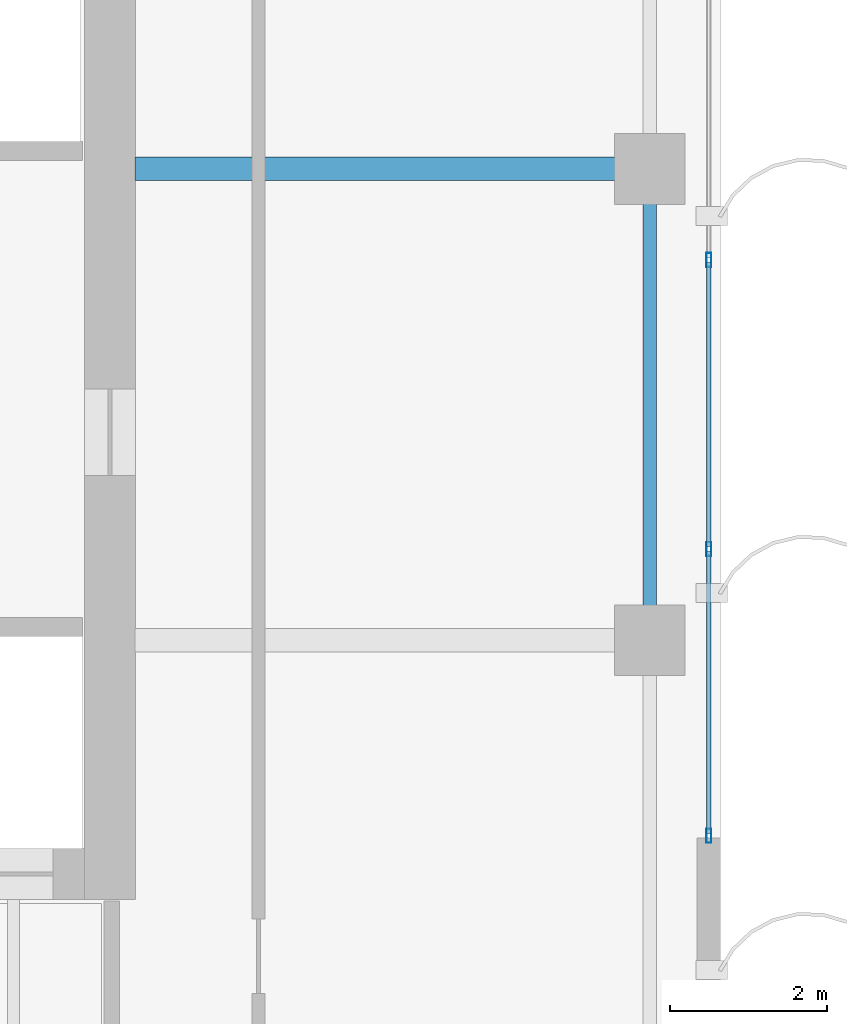
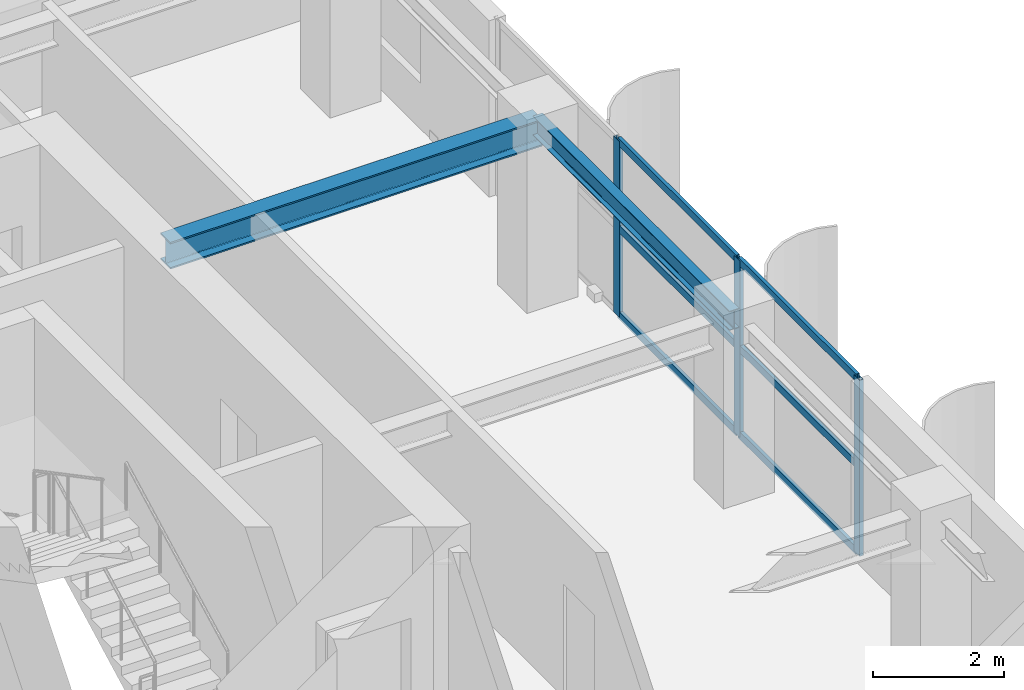
# One storey, part 11 of 25: 9 members, 2 beams, 1 element without a shape of its own.
"""IFC4 building model written with IfcOpenShell, lengths in metres."""

import ifcopenshell
import ifcopenshell.guid

model = None  # the IFC model being written
_history = None  # IfcOwnerHistory: only IFC2X3 demands one
_inside = {}  # id of a spatial element -> (the spatial element, [elements in it])
_under = {}  # id of a project, library or spatial element -> (it, [spatial elements below it])
_declared = {}  # id of a project -> (the project, [libraries it declares])
_typed = {}  # id of a type object -> (the type object, [elements of that type])
_made_of = {}  # id of a material, layer set ... -> (it, [elements and type objects made of it])


def new_model(schema):
    """Start an empty IFC model of exactly this schema.

    Asked for "IFC4X3", IfcOpenShell would pick the latest addendum, in which some entities
    have other attributes; the version numbers below select the first issue.
    IFC2X3 requires an IfcOwnerHistory on every rooted entity: one is made here for all.
    """
    global model, _history
    if schema == "IFC4X3":
        model = ifcopenshell.file(schema_version=(4, 3, 0, 0))
    else:
        model = ifcopenshell.file(schema=schema)
    _inside.clear()
    _under.clear()
    _declared.clear()
    _typed.clear()
    _made_of.clear()
    _history = None
    if model.schema == "IFC2X3":
        org = make("IfcOrganization", Name="unknown")
        user = make(
            "IfcPersonAndOrganization",
            ThePerson=make("IfcPerson", FamilyName="unknown"),
            TheOrganization=org,
        )
        app = make(
            "IfcApplication",
            ApplicationDeveloper=org,
            Version="unknown",
            ApplicationFullName="unknown",
            ApplicationIdentifier="unknown",
        )
        _history = make(
            "IfcOwnerHistory",
            OwningUser=user,
            OwningApplication=app,
            ChangeAction="ADDED",
            CreationDate=0,
        )
    return model


def make(cls, **values):
    """One entity of the class cls with the attributes given. An attribute that is None is left unset."""
    return model.create_entity(
        cls, **{name: value for name, value in values.items() if value is not None}
    )


def rooted(cls, **values):
    """An entity with a GlobalId (a new one), such as an element, a storey or a relation."""
    return make(cls, GlobalId=ifcopenshell.guid.new(), OwnerHistory=_history, **values)


def si_unit(unit_type, name, prefix=None):
    """IfcSIUnit, for example si_unit("LENGTHUNIT", "METRE", prefix="MILLI")."""
    return make("IfcSIUnit", UnitType=unit_type, Prefix=prefix, Name=name)


def assignment(units):
    """IfcUnitAssignment: the units of a project."""
    return None if units is None else make("IfcUnitAssignment", Units=units)


def point(xyz):
    """IfcCartesianPoint."""
    return None if xyz is None else make("IfcCartesianPoint", Coordinates=xyz)


def direction(xyz):
    """IfcDirection."""
    return None if xyz is None else make("IfcDirection", DirectionRatios=xyz)


def frame(location, z_axis=None, x_axis=None):
    """IfcAxis2Placement3D, a coordinate frame: its origin and axes. An axis left out is left unset."""
    return make(
        "IfcAxis2Placement3D",
        Location=point(location),
        Axis=direction(z_axis),
        RefDirection=direction(x_axis),
    )


def frame_2d(location, x_axis=None):
    """IfcAxis2Placement2D, a coordinate frame in the plane: its origin and x axis."""
    return make(
        "IfcAxis2Placement2D", Location=point(location), RefDirection=direction(x_axis)
    )


def origin():
    """The frame at (0, 0, 0) with its axes left unset."""
    return frame((0.0, 0.0, 0.0))


def origin_2d():
    """The frame at (0, 0) in the plane with its x axis left unset."""
    return frame_2d((0.0, 0.0))


def place(relative_to, where):
    """IfcLocalPlacement: puts the frame where relative to a parent placement (None: the world)."""
    return make(
        "IfcLocalPlacement", PlacementRelTo=relative_to, RelativePlacement=where
    )


def context(
    kind, dimensions, precision=None, world=None, true_north=None, identifier=None
):
    """IfcGeometricRepresentationContext, for example the 3D "Model" context."""
    return make(
        "IfcGeometricRepresentationContext",
        ContextIdentifier=identifier,
        ContextType=kind,
        CoordinateSpaceDimension=dimensions,
        Precision=precision,
        WorldCoordinateSystem=world,
        TrueNorth=true_north,
    )


def subcontext(parent, identifier, kind, view, scale=None):
    """IfcGeometricRepresentationSubContext, for example "Body" below "Model"."""
    return make(
        "IfcGeometricRepresentationSubContext",
        ContextIdentifier=identifier,
        ContextType=kind,
        ParentContext=parent,
        TargetScale=scale,
        TargetView=view,
    )


def project(units=None, contexts=None):
    """IfcProject with its units and contexts."""
    return rooted(
        "IfcProject",
        Name="project",
        RepresentationContexts=contexts,
        UnitsInContext=assignment(units),
    )


def spatial(cls, under=None, at=None, **own):
    """A site, building, storey or space (cls), placed at a placement, below another one or the project."""
    s = rooted(cls, ObjectPlacement=at, **own)
    if under is not None:
        _under.setdefault(under.id(), (under, []))[1].append(s)
    return s


def profile(cls, at=None, kind="AREA", **sizes):
    """A parametric profile (cls). Its sizes go by their IFC names, for example OverallWidth=200.0."""
    return make(cls, ProfileType=kind, Position=at, **sizes)


def hollow_rectangle(**sizes):
    """IfcRectangleHollowProfileDef."""
    return profile("IfcRectangleHollowProfileDef", **sizes)


def i_section(**sizes):
    """IfcIShapeProfileDef."""
    return profile("IfcIShapeProfileDef", **sizes)


def extrude(swept, where, along, depth):
    """IfcExtrudedAreaSolid: the profile swept, set in the frame where, extruded along a direction by depth."""
    return make(
        "IfcExtrudedAreaSolid",
        SweptArea=swept,
        Position=where,
        ExtrudedDirection=direction(along),
        Depth=depth,
    )


def shape(context_of_items, identifier, shape_type, items):
    """IfcShapeRepresentation: the items that make up one representation, for example the "Body"."""
    return make(
        "IfcShapeRepresentation",
        ContextOfItems=context_of_items,
        RepresentationIdentifier=identifier,
        RepresentationType=shape_type,
        Items=items,
    )


def source(mapping_origin, context_of_items, identifier, shape_type, items):
    """IfcRepresentationMap: a shape defined once, which mapped items show again and again."""
    return make(
        "IfcRepresentationMap",
        MappingOrigin=mapping_origin,
        MappedRepresentation=shape(context_of_items, identifier, shape_type, items),
    )


def transform(
    local_origin,
    x_axis=None,
    y_axis=None,
    z_axis=None,
    scale=None,
    scale2=None,
    scale3=None,
    uniform=True,
):
    """IfcCartesianTransformationOperator3D, or its non-uniform kind. x_axis, y_axis, z_axis: its Axis1, 2, 3."""
    if uniform:
        return make(
            "IfcCartesianTransformationOperator3D",
            Axis1=direction(x_axis),
            Axis2=direction(y_axis),
            LocalOrigin=point(local_origin),
            Scale=scale,
            Axis3=direction(z_axis),
        )
    return make(
        "IfcCartesianTransformationOperator3DnonUniform",
        Axis1=direction(x_axis),
        Axis2=direction(y_axis),
        LocalOrigin=point(local_origin),
        Scale=scale,
        Axis3=direction(z_axis),
        Scale2=scale2,
        Scale3=scale3,
    )


def mapped(mapping_source, mapping_target):
    """IfcMappedItem: shows the shape of a source again, moved by a transform."""
    return make(
        "IfcMappedItem", MappingSource=mapping_source, MappingTarget=mapping_target
    )


def material(Name=None, Category=None):
    """IfcMaterial."""
    return make("IfcMaterial", Name=Name, Category=Category)


def layer(
    of_material, thickness, ventilated=None, Name=None, Category=None, Priority=None
):
    """IfcMaterialLayer: one layer of a wall or slab, of a material (None: an air gap)."""
    return make(
        "IfcMaterialLayer",
        Material=of_material,
        LayerThickness=thickness,
        IsVentilated=ventilated,
        Name=Name,
        Category=Category,
        Priority=Priority,
    )


def layer_set(layers, Name=None):
    """IfcMaterialLayerSet."""
    return make("IfcMaterialLayerSet", MaterialLayers=layers, LayerSetName=Name)


def material_profile(
    of_material, cross_section, Name=None, Category=None, Priority=None
):
    """IfcMaterialProfile: a cross section and its material."""
    return make(
        "IfcMaterialProfile",
        Name=Name,
        Material=of_material,
        Profile=cross_section,
        Priority=Priority,
        Category=Category,
    )


def profile_set(profiles, Name=None, composite=None):
    """IfcMaterialProfileSet."""
    return make(
        "IfcMaterialProfileSet",
        Name=Name,
        MaterialProfiles=profiles,
        CompositeProfile=composite,
    )


def made_of(thing, what):
    """Note that an element or type object is made of a material, layer set ...; save() writes the relation."""
    if what is not None:
        _made_of.setdefault(what.id(), (what, []))[1].append(thing)
    return thing


def type_object(cls, material=None, **own):
    """A type object (cls), such as IfcWallType, which elements share."""
    return made_of(rooted(cls, **own), material)


def element(
    cls,
    number,
    at=None,
    inside=None,
    cuts=None,
    type_object=None,
    material=None,
    context=None,
    identifier="Body",
    shape_type=None,
    held_by="IfcProductDefinitionShape",
    body=None,
    shapes=None,
    **own,
):
    """One element of the class cls, such as IfcWall. Its Tag is "e" and its number.

    at: its placement. inside: the storey or other place that contains it. cuts: it is an
    opening in that element (IfcRelVoidsElement). A single representation is given by context,
    identifier, shape_type and body (its items); several are given by shapes. held_by: the class
    of the entity that holds the representations. save() writes the other relations.
    """
    e = rooted(cls, Tag="e%d" % number, ObjectPlacement=at, **own)
    if body is not None:
        shapes = [shape(context, identifier, shape_type, body)]
    if shapes is not None:
        e.Representation = make(held_by, Representations=shapes)
    if inside is not None:
        _inside.setdefault(inside.id(), (inside, []))[1].append(e)
    if cuts is not None:
        rooted(
            "IfcRelVoidsElement", RelatingBuildingElement=cuts, RelatedOpeningElement=e
        )
    if type_object is not None:
        _typed.setdefault(type_object.id(), (type_object, []))[1].append(e)
    return made_of(e, material)


def aggregate(whole, parts):
    """IfcRelAggregates: a whole, such as a stair, and the parts it consists of."""
    return rooted("IfcRelAggregates", RelatingObject=whole, RelatedObjects=parts)


def save(model, path):
    """Write the relations noted so far, then the file.

    IfcRelAggregates (storeys below a building ...), IfcRelContainedInSpatialStructure (elements
    in a storey), IfcRelDefinesByType, IfcRelAssociatesMaterial and IfcRelDeclares: one each for
    every whole, place, type object, material and project.
    """
    for whole, parts in _under.values():
        aggregate(whole, parts)
    for where, things in _inside.values():
        rooted(
            "IfcRelContainedInSpatialStructure",
            RelatedElements=things,
            RelatingStructure=where,
        )
    for kind, things in _typed.values():
        rooted("IfcRelDefinesByType", RelatedObjects=things, RelatingType=kind)
    for what, things in _made_of.values():
        rooted("IfcRelAssociatesMaterial", RelatedObjects=things, RelatingMaterial=what)
    for by, libraries in _declared.values():
        rooted("IfcRelDeclares", RelatingContext=by, RelatedDefinitions=libraries)
    model.write(path)


model = new_model("IFC4")

# Units and contexts
model_context = context("Model", 3, precision=1e-05, world=origin(), true_north=direction((0.0, 1.0)))
body_context = subcontext(model_context, "Body", "Model", "MODEL_VIEW")
ifc_project = project(units=[si_unit("LENGTHUNIT", "METRE"), si_unit("AREAUNIT", "SQUARE_METRE"), si_unit("VOLUMEUNIT", "CUBIC_METRE"), si_unit("PLANEANGLEUNIT", "RADIAN"), si_unit("MASSUNIT", "GRAM", prefix="KILO")], contexts=[model_context])

# Site, building, storey
site_placement = place(None, origin())
site = spatial("IfcSite", under=ifc_project, at=site_placement, CompositionType="ELEMENT")
building_placement = place(site_placement, origin())
building = spatial("IfcBuilding", under=site, at=building_placement, Name="Khoralis Quay Care Tower", CompositionType="ELEMENT")
storey_placement = place(building_placement, frame((0.0, 0.0, 216.89990234375)))
storey = spatial("IfcBuildingStorey", under=building, at=storey_placement, Name="L57", CompositionType="ELEMENT", Elevation=216.89990234375)

# Beams
ifc_material_1 = material(Name="Steel S355", Category="steel")
ifc_material_profile_1 = material_profile(ifc_material_1, i_section(OverallWidth=0.169921875, OverallDepth=0.360107421875, WebThickness=0.008056640625, FlangeThickness=0.0126953125, FilletRadius=0.01806640625, at=origin_2d()), Name="Steel S355")
ifc_profile_set_1 = profile_set([ifc_material_profile_1], Name="Steel S355")
beam_type_1 = type_object("IfcBeamType", Name="BM-IPE360", PredefinedType="SPANDREL", material=ifc_profile_set_1)
shared_shape_1 = source(origin(), body_context, "Body", "SweptSolid", [
    extrude(i_section(OverallWidth=0.169921875, OverallDepth=0.360107421875, WebThickness=0.008056640625, FlangeThickness=0.0126953125, FilletRadius=0.01806640625, at=origin_2d()), origin(), (0.0, 0.0, 1.0), 6.0),
])
beam_1_placement = place(storey_placement, frame((44.10009765625, 18.0, 3.10009765625), z_axis=(0.0, 1.0, 0.0), x_axis=(-1.0, 0.0, 0.0)))
element("IfcBeam", 1, at=beam_1_placement, inside=storey, type_object=beam_type_1, Name="BM-TSP-L57-14", PredefinedType="SPANDREL", context=body_context, shape_type="MappedRepresentation", body=[
    mapped(shared_shape_1, transform((0.0, 0.0, 0.0), scale=1.0)),
])
ifc_material_profile_2 = material_profile(ifc_material_1, i_section(OverallWidth=0.300048828125, OverallDepth=0.5, WebThickness=0.014404296875, FlangeThickness=0.028076171875, FilletRadius=0.027099609375, at=origin_2d()), Name="Steel S355")
ifc_profile_set_2 = profile_set([ifc_material_profile_2], Name="Steel S355")
beam_type_2 = type_object("IfcBeamType", Name="BM-HEB500", PredefinedType="BEAM", material=ifc_profile_set_2)
shared_shape_2 = source(origin(), body_context, "Body", "SweptSolid", [
    extrude(i_section(OverallWidth=0.300048828125, OverallDepth=0.5, WebThickness=0.014404296875, FlangeThickness=0.028076171875, FilletRadius=0.027099609375, at=origin_2d()), origin(), (0.0, 0.0, 1.0), 6.552001953125),
])
beam_2_placement = place(storey_placement, frame((37.548095703125, 24.0, 3.030029296875), z_axis=(1.0, 0.0, 0.0), x_axis=(0.0, 1.0, 0.0)))
element("IfcBeam", 2, at=beam_2_placement, inside=storey, type_object=beam_type_2, Name="BM-TGXE-L57-240", PredefinedType="BEAM", context=body_context, shape_type="MappedRepresentation", body=[
    mapped(shared_shape_2, transform((0.0, 0.0, 0.0), scale=1.0)),
])

# Curtain wall, members
ifc_material_2 = material(Name="Pale anodised aluminium", Category="aluminium")
ifc_layer = layer(ifc_material_2, 0.159912109375)
ifc_layer_set = layer_set([ifc_layer], Name="Pale anodised aluminium")
curtain_wall_type = type_object("IfcCurtainWallType", Name="CW-SYS-Z3", PredefinedType="NOTDEFINED", material=ifc_layer_set)
curtain_wall_placement = place(storey_placement, origin())
curtain_wall = element("IfcCurtainWall", 3, at=curtain_wall_placement, inside=storey, type_object=curtain_wall_type, Name="L57 Unitised Curtain Wall CW-L57-P1-E5", PredefinedType="NOTDEFINED")
ifc_material_profile_3 = material_profile(ifc_material_2, hollow_rectangle(XDim=0.06494140625, YDim=0.179931640625, WallThickness=0.00390625, at=origin_2d()), Name="Pale anodised aluminium")
ifc_profile_set_3 = profile_set([ifc_material_profile_3], Name="Pale anodised aluminium")
member_type_1 = type_object("IfcMemberType", Name="CW-MUL-180", PredefinedType="MULLION", material=ifc_profile_set_3)
shared_shape_3 = source(origin(), body_context, "Body", "SweptSolid", [
    extrude(hollow_rectangle(XDim=0.06494140625, YDim=0.179931640625, WallThickness=0.00390625, at=origin_2d()), origin(), (0.0, 0.0, 1.0), 3.280029296875),
])
member_1_placement = place(storey_placement, frame((44.85009765625, 15.510009765625, 0.0), z_axis=(0.0, 0.0, 1.0), x_axis=(-1.0, 0.0, 0.0)))
member_1 = element("IfcMember", 4, at=member_1_placement, type_object=member_type_1, Name="CW3 mullion 1", PredefinedType="MULLION", context=body_context, shape_type="MappedRepresentation", body=[
    mapped(shared_shape_3, transform((0.0, 0.0, 0.0), scale=1.0)),
])
member_2_placement = place(storey_placement, frame((44.85009765625, 19.159912109375, 0.0), z_axis=(0.0, 0.0, 1.0), x_axis=(-1.0, 0.0, 0.0)))
member_2 = element("IfcMember", 5, at=member_2_placement, type_object=member_type_1, Name="CW3 mullion 2", PredefinedType="MULLION", context=body_context, shape_type="MappedRepresentation", body=[
    mapped(shared_shape_3, transform((0.0, 0.0, 0.0), scale=1.0)),
])
member_3_placement = place(storey_placement, frame((44.85009765625, 22.840087890625, 0.0), z_axis=(0.0, 0.0, 1.0), x_axis=(-1.0, 0.0, 0.0)))
member_3 = element("IfcMember", 6, at=member_3_placement, type_object=member_type_1, Name="CW3 mullion 3", PredefinedType="MULLION", context=body_context, shape_type="MappedRepresentation", body=[
    mapped(shared_shape_3, transform((0.0, 0.0, 0.0), scale=1.0)),
])
ifc_material_profile_4 = material_profile(ifc_material_2, hollow_rectangle(XDim=0.06005859375, YDim=0.139892578125, WallThickness=0.00390625, at=origin_2d()), Name="Pale anodised aluminium")
ifc_profile_set_4 = profile_set([ifc_material_profile_4], Name="Pale anodised aluminium")
member_type_2 = type_object("IfcMemberType", Name="CW-TRN-140", PredefinedType="USERDEFINED", material=ifc_profile_set_4)
shared_shape_4 = source(origin(), body_context, "Body", "SweptSolid", [
    extrude(hollow_rectangle(XDim=0.06005859375, YDim=0.139892578125, WallThickness=0.00390625, at=origin_2d()), origin(), (0.0, 0.0, 1.0), 3.58984375),
])
member_4_placement = place(storey_placement, frame((44.85009765625, 15.5400390625, 0.030029296875), z_axis=(0.0, 1.0, 0.0), x_axis=(-1.0, 0.0, 0.0)))
member_4 = element("IfcMember", 7, at=member_4_placement, type_object=member_type_2, Name="CW3 transom 1.1", ObjectType="TRANSOM", PredefinedType="USERDEFINED", context=body_context, shape_type="MappedRepresentation", body=[
    mapped(shared_shape_4, transform((0.0, 0.0, 0.0), scale=1.0)),
])
member_5_placement = place(storey_placement, frame((44.85009765625, 15.5400390625, 1.64013671875), z_axis=(0.0, 1.0, 0.0), x_axis=(-1.0, 0.0, 0.0)))
member_5 = element("IfcMember", 8, at=member_5_placement, type_object=member_type_2, Name="CW3 transom 1.2", ObjectType="TRANSOM", PredefinedType="USERDEFINED", context=body_context, shape_type="MappedRepresentation", body=[
    mapped(shared_shape_4, transform((0.0, 0.0, 0.0), scale=1.0)),
])
member_6_placement = place(storey_placement, frame((44.85009765625, 15.5400390625, 3.25), z_axis=(0.0, 1.0, 0.0), x_axis=(-1.0, 0.0, 0.0)))
member_6 = element("IfcMember", 9, at=member_6_placement, type_object=member_type_2, Name="CW3 transom 1.3", ObjectType="TRANSOM", PredefinedType="USERDEFINED", context=body_context, shape_type="MappedRepresentation", body=[
    mapped(shared_shape_4, transform((0.0, 0.0, 0.0), scale=1.0)),
])
shared_shape_5 = source(origin(), body_context, "Body", "SweptSolid", [
    extrude(hollow_rectangle(XDim=0.06005859375, YDim=0.139892578125, WallThickness=0.00390625, at=origin_2d()), origin(), (0.0, 0.0, 1.0), 3.6201171875),
])
member_7_placement = place(storey_placement, frame((44.85009765625, 19.18994140625, 0.030029296875), z_axis=(0.0, 1.0, 0.0), x_axis=(-1.0, 0.0, 0.0)))
member_7 = element("IfcMember", 10, at=member_7_placement, type_object=member_type_2, Name="CW3 transom 2.1", ObjectType="TRANSOM", PredefinedType="USERDEFINED", context=body_context, shape_type="MappedRepresentation", body=[
    mapped(shared_shape_5, transform((0.0, 0.0, 0.0), scale=1.0)),
])
member_8_placement = place(storey_placement, frame((44.85009765625, 19.18994140625, 1.64013671875), z_axis=(0.0, 1.0, 0.0), x_axis=(-1.0, 0.0, 0.0)))
member_8 = element("IfcMember", 11, at=member_8_placement, type_object=member_type_2, Name="CW3 transom 2.2", ObjectType="TRANSOM", PredefinedType="USERDEFINED", context=body_context, shape_type="MappedRepresentation", body=[
    mapped(shared_shape_5, transform((0.0, 0.0, 0.0), scale=1.0)),
])
member_9_placement = place(storey_placement, frame((44.85009765625, 19.18994140625, 3.25), z_axis=(0.0, 1.0, 0.0), x_axis=(-1.0, 0.0, 0.0)))
member_9 = element("IfcMember", 12, at=member_9_placement, type_object=member_type_2, Name="CW3 transom 2.3", ObjectType="TRANSOM", PredefinedType="USERDEFINED", context=body_context, shape_type="MappedRepresentation", body=[
    mapped(shared_shape_5, transform((0.0, 0.0, 0.0), scale=1.0)),
])
aggregate(curtain_wall, [member_1, member_2, member_3, member_4, member_5, member_6, member_7, member_8, member_9])

save(model, "model.ifc")
